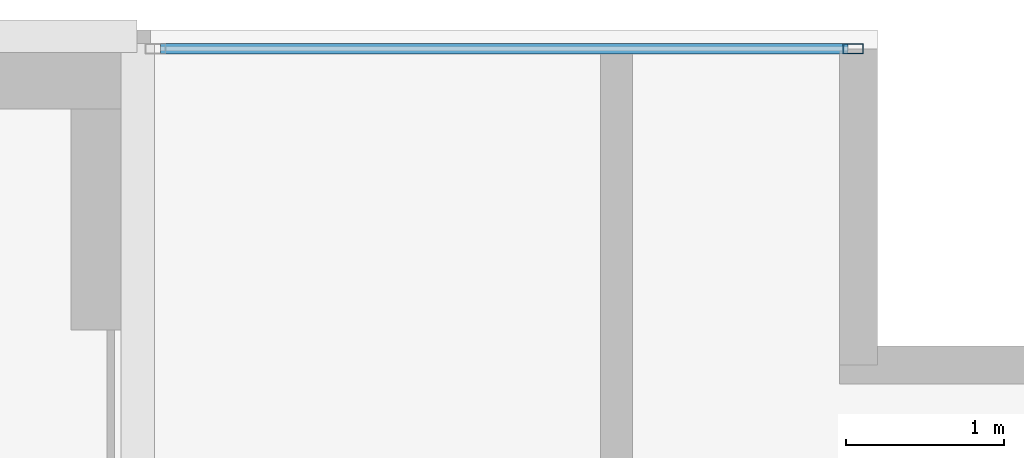
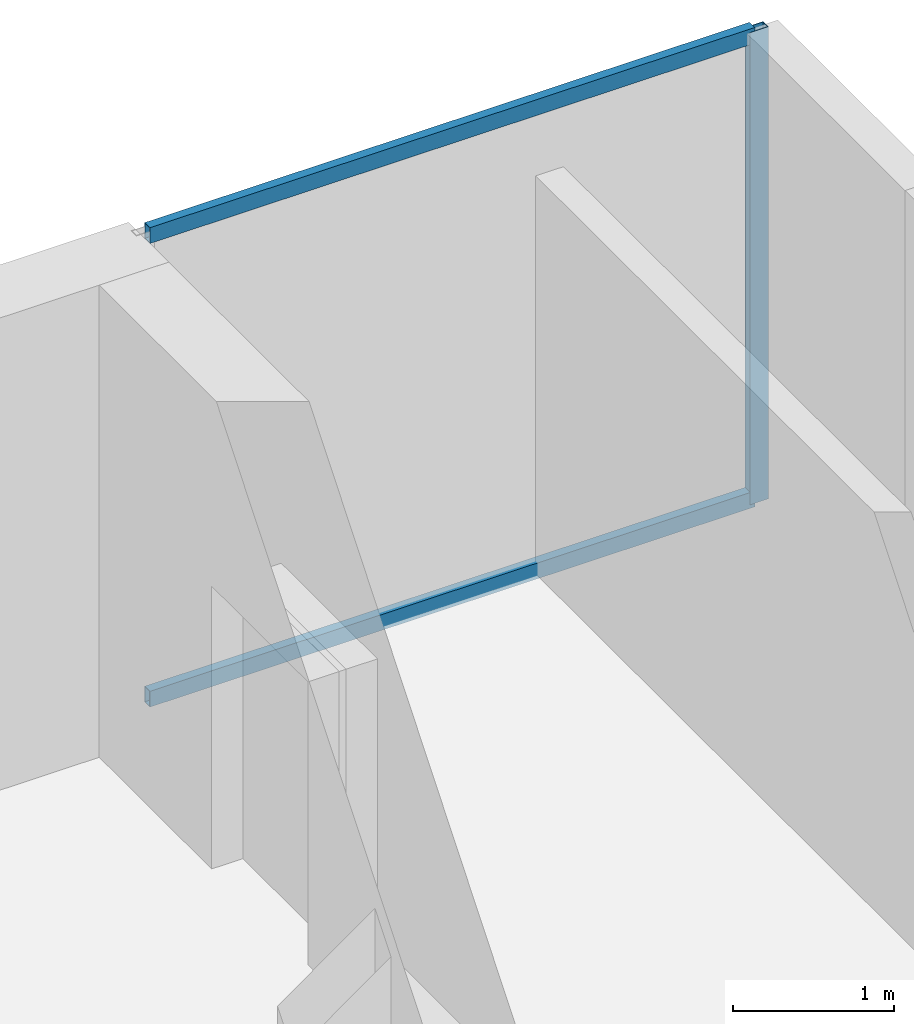
# One storey, part 12 of 16: 3 members, 1 element without a shape of its own.
"""IFC4 building model written with IfcOpenShell, lengths in metres."""

from ifc_helpers import new_model, si_unit, direction, frame, origin, origin_2d, place, context, subcontext, project, spatial, hollow_rectangle, extrude, material, material_profile, profile_set, type_object, element, aggregate, save


model = new_model("IFC4")

# Units and contexts
model_context = context("Model", 3, precision=1e-05, world=origin(), true_north=direction((0.0, 1.0)))
body_context = subcontext(model_context, "Body", "Model", "MODEL_VIEW")
ifc_project = project(units=[si_unit("LENGTHUNIT", "METRE"), si_unit("AREAUNIT", "SQUARE_METRE"), si_unit("VOLUMEUNIT", "CUBIC_METRE"), si_unit("PLANEANGLEUNIT", "RADIAN"), si_unit("MASSUNIT", "GRAM", prefix="KILO")], contexts=[model_context])

# Site, building, storey
site_placement = place(None, origin())
site = spatial("IfcSite", under=ifc_project, at=site_placement, CompositionType="ELEMENT")
building_placement = place(site_placement, origin())
building = spatial("IfcBuilding", under=site, at=building_placement, Name="Cobrela Telecom Tower", CompositionType="ELEMENT")
storey_placement = place(building_placement, frame((0.0, 0.0, 293.64990234375)))
storey = spatial("IfcBuildingStorey", under=building, at=storey_placement, Name="L77", CompositionType="ELEMENT", Elevation=293.64990234375)

# Curtain wall, members
ifc_material = material(Name="Anodized Bronze Aluminium 6063-T6", Category="aluminium")
curtain_wall_type = type_object("IfcCurtainWallType", Name="CW-SYS-DRUM", PredefinedType="USERDEFINED", material=ifc_material)
curtain_wall_placement = place(storey_placement, origin())
curtain_wall = element("IfcCurtainWall", 1, at=curtain_wall_placement, inside=storey, type_object=curtain_wall_type, Name="L77 Unitised Bronze Curtain Wall 01", ObjectType="UNITISED CURTAIN WALL", PredefinedType="USERDEFINED")
ifc_material_profile_1 = material_profile(ifc_material, hollow_rectangle(XDim=0.06494140625, YDim=0.1298828125, WallThickness=0.00390625, at=origin_2d()), Name="ALU 65x130x4")
ifc_profile_set_1 = profile_set([ifc_material_profile_1], Name="Anodized Bronze Aluminium 6063-T6")
member_type_1 = type_object("IfcMemberType", Name="CW-SYS-DRUM-MUL", PredefinedType="MULLION", material=ifc_profile_set_1)
member_1_placement = place(storey_placement, frame((18.847412109375, 35.8798828125, 0.0), z_axis=(0.0, 0.0, 1.0), x_axis=(0.0, 1.0, 0.0)))
member_1 = element("IfcMember", 2, at=member_1_placement, type_object=member_type_1, Name="CW-DRUM mullion 2", PredefinedType="MULLION", context=body_context, shape_type="SweptSolid", body=[
    extrude(hollow_rectangle(XDim=0.06494140625, YDim=0.1298828125, WallThickness=0.00390625, at=origin_2d()), origin(), (0.0, 0.0, 1.0), 3.590087890625),
])
ifc_material_profile_2 = material_profile(ifc_material, hollow_rectangle(XDim=0.06494140625, YDim=0.1201171875, WallThickness=0.00390625, at=origin_2d()), Name="ALU 65x120x4")
ifc_profile_set_2 = profile_set([ifc_material_profile_2], Name="Anodized Bronze Aluminium 6063-T6")
member_type_2 = type_object("IfcMemberType", Name="CW-SYS-DRUM-TRN", PredefinedType="USERDEFINED", material=ifc_profile_set_2)
member_2_placement = place(storey_placement, frame((14.465087890625, 35.8798828125, 0.03271484375), z_axis=(1.0, 0.0, 0.0), x_axis=(0.0, 1.0, 0.0)))
member_2 = element("IfcMember", 3, at=member_2_placement, type_object=member_type_2, Name="CW-DRUM transom 1.1", ObjectType="TRANSOM", PredefinedType="USERDEFINED", context=body_context, shape_type="SweptSolid", body=[
    extrude(hollow_rectangle(XDim=0.06494140625, YDim=0.1201171875, WallThickness=0.00390625, at=origin_2d()), origin(), (0.0, 0.0, 1.0), 4.349853515625),
])
member_3_placement = place(storey_placement, frame((14.465087890625, 35.8798828125, 3.5576171875), z_axis=(1.0, 0.0, 0.0), x_axis=(0.0, 1.0, 0.0)))
member_3 = element("IfcMember", 4, at=member_3_placement, type_object=member_type_2, Name="CW-DRUM transom 1.2", ObjectType="TRANSOM", PredefinedType="USERDEFINED", context=body_context, shape_type="SweptSolid", body=[
    extrude(hollow_rectangle(XDim=0.06494140625, YDim=0.1201171875, WallThickness=0.00390625, at=origin_2d()), origin(), (0.0, 0.0, 1.0), 4.349853515625),
])
aggregate(curtain_wall, [member_1, member_2, member_3])

save(model, "model.ifc")
